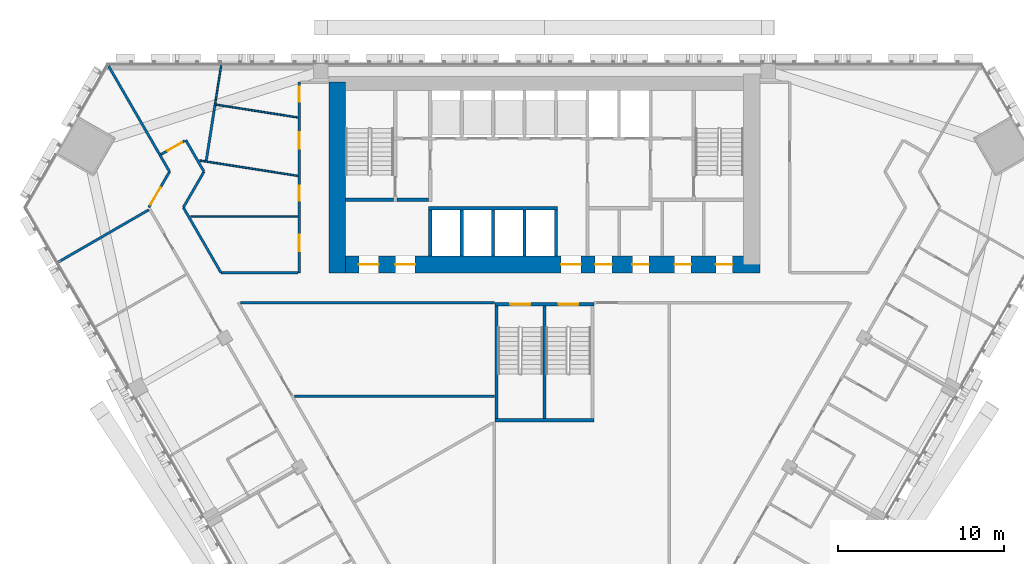
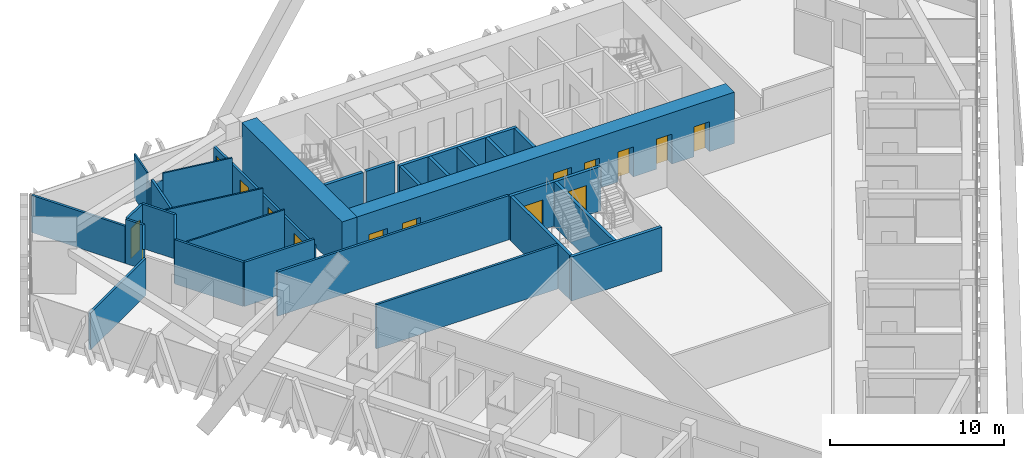
# One storey, part 18 of 24: 34 walls, 15 doors, 15 openings.
"""IFC4 building model written with IfcOpenShell, lengths in metres."""

from ifc_helpers import new_model, si_unit, direction, frame, frame_2d, origin, place, context, subcontext, project, spatial, rectangle, extrude, material, layer, layer_set, type_object, element, fill, save


model = new_model("IFC4")

# Units and contexts
model_context = context("Model", 3, precision=1e-05, world=origin(), true_north=direction((0.0, 1.0)))
body_context = subcontext(model_context, "Body", "Model", "MODEL_VIEW")
ifc_project = project(units=[si_unit("LENGTHUNIT", "METRE"), si_unit("AREAUNIT", "SQUARE_METRE"), si_unit("VOLUMEUNIT", "CUBIC_METRE"), si_unit("PLANEANGLEUNIT", "RADIAN"), si_unit("MASSUNIT", "GRAM", prefix="KILO")], contexts=[model_context])

# Site, building, storey
site_placement = place(None, origin())
site = spatial("IfcSite", under=ifc_project, at=site_placement, CompositionType="ELEMENT")
building_placement = place(site_placement, origin())
building = spatial("IfcBuilding", under=site, at=building_placement, Name="Altiplano Prism Tower", CompositionType="ELEMENT")
storey_placement = place(building_placement, frame((0.0, 0.0, 27.0)))
storey = spatial("IfcBuildingStorey", under=building, at=storey_placement, Name="L05", CompositionType="ELEMENT", Elevation=27.0)

# Wall, openings, doors
ifc_material_1 = material(Name="Concrete C70/85", Category="concrete")
ifc_layer_1 = layer(ifc_material_1, 1.0)
ifc_layer_set_1 = layer_set([ifc_layer_1], Name="Concrete C70/85")
wall_type_1 = type_object("IfcWallType", Name="Core wall 1000", PredefinedType="SHEAR", material=ifc_layer_set_1)
wall_1_placement = place(storey_placement, frame((72.5, 92.89990234375, 0.0), z_axis=(0.0, 0.0, 1.0), x_axis=(1.0, 0.0, 0.0)))
wall_1 = element("IfcWall", 1, at=wall_1_placement, inside=storey, type_object=wall_type_1, Name="Core wall S L05", PredefinedType="SHEAR", context=body_context, shape_type="SweptSolid", body=[
    extrude(rectangle(XDim=25.5, YDim=1.0, at=frame_2d((12.75, 0.0))), origin(), (0.0, 0.0, 1.0), 3.60009765625),
])
opening_1_placement = place(wall_1_placement, frame((1.300048828125, 0.0, 0.0)))
opening_1 = element("IfcOpeningElement", 2, at=opening_1_placement, cuts=wall_1, Name="Opening D2659", PredefinedType="OPENING", context=body_context, shape_type="SweptSolid", body=[
    extrude(rectangle(XDim=1.199951171875, YDim=2.10009765625, at=frame_2d((0.60009765625, 1.050048828125))), frame((0.0, 0.510498046875, 0.0), z_axis=(0.0, -1.0, 0.0), x_axis=(1.0, 0.0, 0.0)), (0.0, 0.0, 1.0), 1.02099609375),
])
opening_2_placement = place(wall_1_placement, frame((3.5, 0.0, 0.0)))
opening_2 = element("IfcOpeningElement", 3, at=opening_2_placement, cuts=wall_1, Name="Opening D2660", PredefinedType="OPENING", context=body_context, shape_type="SweptSolid", body=[
    extrude(rectangle(XDim=1.199951171875, YDim=2.10009765625, at=frame_2d((0.60009765625, 1.050048828125))), frame((0.0, 0.510498046875, 0.0), z_axis=(0.0, -1.0, 0.0), x_axis=(1.0, 0.0, 0.0)), (0.0, 0.0, 1.0), 1.02099609375),
])
opening_3_placement = place(wall_1_placement, frame((13.5, 0.0, 0.0)))
opening_3 = element("IfcOpeningElement", 4, at=opening_3_placement, cuts=wall_1, Name="Opening D2661", PredefinedType="OPENING", context=body_context, shape_type="SweptSolid", body=[
    extrude(rectangle(XDim=1.199951171875, YDim=2.10009765625, at=frame_2d((0.60009765625, 1.050048828125))), frame((0.0, 0.510498046875, 0.0), z_axis=(0.0, -1.0, 0.0), x_axis=(1.0, 0.0, 0.0)), (0.0, 0.0, 1.0), 1.02099609375),
])
opening_4_placement = place(wall_1_placement, frame((15.5625, 0.0, 0.0)))
opening_4 = element("IfcOpeningElement", 5, at=opening_4_placement, cuts=wall_1, Name="Opening D2664", PredefinedType="OPENING", context=body_context, shape_type="SweptSolid", body=[
    extrude(rectangle(XDim=1.0, YDim=2.10009765625, at=frame_2d((0.5, 1.050048828125))), frame((0.0, 0.510498046875, 0.0), z_axis=(0.0, -1.0, 0.0), x_axis=(1.0, 0.0, 0.0)), (0.0, 0.0, 1.0), 1.02099609375),
])
opening_5_placement = place(wall_1_placement, frame((17.800048828125, 0.0, 0.0)))
opening_5 = element("IfcOpeningElement", 6, at=opening_5_placement, cuts=wall_1, Name="Opening D2665", PredefinedType="OPENING", context=body_context, shape_type="SweptSolid", body=[
    extrude(rectangle(XDim=1.0, YDim=2.10009765625, at=frame_2d((0.5, 1.050048828125))), frame((0.0, 0.510498046875, 0.0), z_axis=(0.0, -1.0, 0.0), x_axis=(1.0, 0.0, 0.0)), (0.0, 0.0, 1.0), 1.02099609375),
])
opening_6_placement = place(wall_1_placement, frame((20.35009765625, 0.0, 0.0)))
opening_6 = element("IfcOpeningElement", 7, at=opening_6_placement, cuts=wall_1, Name="Opening D2666", PredefinedType="OPENING", context=body_context, shape_type="SweptSolid", body=[
    extrude(rectangle(XDim=1.0, YDim=2.10009765625, at=frame_2d((0.5, 1.050048828125))), frame((0.0, 0.510498046875, 0.0), z_axis=(0.0, -1.0, 0.0), x_axis=(1.0, 0.0, 0.0)), (0.0, 0.0, 1.0), 1.02099609375),
])
opening_7_placement = place(wall_1_placement, frame((22.83740234375, 0.0, 0.0)))
opening_7 = element("IfcOpeningElement", 8, at=opening_7_placement, cuts=wall_1, Name="Opening D2667", PredefinedType="OPENING", context=body_context, shape_type="SweptSolid", body=[
    extrude(rectangle(XDim=1.0, YDim=2.10009765625, at=frame_2d((0.5, 1.050048828125))), frame((0.0, 0.510498046875, 0.0), z_axis=(0.0, -1.0, 0.0), x_axis=(1.0, 0.0, 0.0)), (0.0, 0.0, 1.0), 1.02099609375),
])
ifc_material_2 = material(Name="Fire-rated steel door", Category="steel")
door_type_1 = type_object("IfcDoorType", Name="Core room door 1000 x 2100", OperationType="NOTDEFINED", PredefinedType="NOTDEFINED", material=ifc_material_2)
door_1_placement = place(opening_4_placement, origin())
door_1 = element("IfcDoor", 9, at=door_1_placement, inside=storey, type_object=door_type_1, Name="Core room door D2664", OperationType="SINGLE_SWING_RIGHT", OverallHeight=2.10009765625, OverallWidth=1.0, PredefinedType="NOTDEFINED", context=body_context, shape_type="SweptSolid", body=[
    extrude(rectangle(XDim=1.0, YDim=2.10009765625, at=frame_2d((0.5, 1.050048828125))), frame((0.0, 0.02490234375, 0.0), z_axis=(0.0, -1.0, 0.0), x_axis=(1.0, 0.0, 0.0)), (0.0, 0.0, 1.0), 0.050048828125),
])
fill(opening_4, door_1)
door_2_placement = place(opening_5_placement, origin())
door_2 = element("IfcDoor", 10, at=door_2_placement, inside=storey, type_object=door_type_1, Name="Core room door D2665", OperationType="SINGLE_SWING_LEFT", OverallHeight=2.10009765625, OverallWidth=1.0, PredefinedType="NOTDEFINED", context=body_context, shape_type="SweptSolid", body=[
    extrude(rectangle(XDim=1.0, YDim=2.10009765625, at=frame_2d((0.5, 1.050048828125))), frame((0.0, 0.02490234375, 0.0), z_axis=(0.0, -1.0, 0.0), x_axis=(1.0, 0.0, 0.0)), (0.0, 0.0, 1.0), 0.050048828125),
])
fill(opening_5, door_2)
door_3_placement = place(opening_6_placement, origin())
door_3 = element("IfcDoor", 11, at=door_3_placement, inside=storey, type_object=door_type_1, Name="Core room door D2666", OperationType="SINGLE_SWING_RIGHT", OverallHeight=2.10009765625, OverallWidth=1.0, PredefinedType="NOTDEFINED", context=body_context, shape_type="SweptSolid", body=[
    extrude(rectangle(XDim=1.0, YDim=2.10009765625, at=frame_2d((0.5, 1.050048828125))), frame((0.0, 0.02490234375, 0.0), z_axis=(0.0, -1.0, 0.0), x_axis=(1.0, 0.0, 0.0)), (0.0, 0.0, 1.0), 0.050048828125),
])
fill(opening_6, door_3)
door_4_placement = place(opening_7_placement, origin())
door_4 = element("IfcDoor", 12, at=door_4_placement, inside=storey, type_object=door_type_1, Name="Core room door D2667", OperationType="SINGLE_SWING_LEFT", OverallHeight=2.10009765625, OverallWidth=1.0, PredefinedType="NOTDEFINED", context=body_context, shape_type="SweptSolid", body=[
    extrude(rectangle(XDim=1.0, YDim=2.10009765625, at=frame_2d((0.5, 1.050048828125))), frame((0.0, 0.02490234375, 0.0), z_axis=(0.0, -1.0, 0.0), x_axis=(1.0, 0.0, 0.0)), (0.0, 0.0, 1.0), 0.050048828125),
])
fill(opening_7, door_4)
door_type_2 = type_object("IfcDoorType", Name="Lobby fire door 1200 x 2100", OperationType="NOTDEFINED", PredefinedType="NOTDEFINED", material=ifc_material_2)
door_5_placement = place(opening_1_placement, origin())
door_5 = element("IfcDoor", 13, at=door_5_placement, inside=storey, type_object=door_type_2, Name="Lobby fire door D2659", OperationType="SINGLE_SWING_RIGHT", OverallHeight=2.10009765625, OverallWidth=1.199951171875, PredefinedType="NOTDEFINED", context=body_context, shape_type="SweptSolid", body=[
    extrude(rectangle(XDim=1.199951171875, YDim=2.10009765625, at=frame_2d((0.60009765625, 1.050048828125))), frame((0.0, 0.02490234375, 0.0), z_axis=(0.0, -1.0, 0.0), x_axis=(1.0, 0.0, 0.0)), (0.0, 0.0, 1.0), 0.050048828125),
])
fill(opening_1, door_5)
door_6_placement = place(opening_2_placement, origin())
door_6 = element("IfcDoor", 14, at=door_6_placement, inside=storey, type_object=door_type_2, Name="Lobby fire door D2660", OperationType="SINGLE_SWING_LEFT", OverallHeight=2.10009765625, OverallWidth=1.199951171875, PredefinedType="NOTDEFINED", context=body_context, shape_type="SweptSolid", body=[
    extrude(rectangle(XDim=1.199951171875, YDim=2.10009765625, at=frame_2d((0.60009765625, 1.050048828125))), frame((0.0, 0.02490234375, 0.0), z_axis=(0.0, -1.0, 0.0), x_axis=(1.0, 0.0, 0.0)), (0.0, 0.0, 1.0), 0.050048828125),
])
fill(opening_2, door_6)
door_7_placement = place(opening_3_placement, origin())
door_7 = element("IfcDoor", 15, at=door_7_placement, inside=storey, type_object=door_type_2, Name="Lobby fire door D2661", OperationType="SINGLE_SWING_RIGHT", OverallHeight=2.10009765625, OverallWidth=1.199951171875, PredefinedType="NOTDEFINED", context=body_context, shape_type="SweptSolid", body=[
    extrude(rectangle(XDim=1.199951171875, YDim=2.10009765625, at=frame_2d((0.60009765625, 1.050048828125))), frame((0.0, 0.02490234375, 0.0), z_axis=(0.0, -1.0, 0.0), x_axis=(1.0, 0.0, 0.0)), (0.0, 0.0, 1.0), 0.050048828125),
])
fill(opening_3, door_7)

# Walls
wall_2_placement = place(storey_placement, frame((72.5, 103.89990234375, 0.0), z_axis=(0.0, 0.0, 1.0), x_axis=(0.0, -1.0, 0.0)))
element("IfcWall", 16, at=wall_2_placement, inside=storey, type_object=wall_type_1, Name="Core wall W L05", PredefinedType="SHEAR", context=body_context, shape_type="SweptSolid", body=[
    extrude(rectangle(XDim=11.5, YDim=1.0, at=frame_2d((5.75, 0.0))), origin(), (0.0, 0.0, 1.0), 3.60009765625),
])
ifc_material_3 = material(Name="Plasterboard on steel stud", Category="steel")
ifc_layer_2 = layer(ifc_material_3, 0.10009765625)
ifc_layer_set_2 = layer_set([ifc_layer_2], Name="Plasterboard on steel stud")
wall_type_2 = type_object("IfcWallType", Name="Partition 100 wet", PredefinedType="PARTITIONING", material=ifc_layer_set_2)
wall_3_placement = place(storey_placement, frame((65.125, 102.552001953125, 0.0), z_axis=(0.0, 0.0, 1.0), x_axis=(0.987935551698, -0.154865572969, 0.0)))
element("IfcWall", 17, at=wall_3_placement, inside=storey, type_object=wall_type_2, Name="Partition P03 L05 028", PredefinedType="PARTITIONING", context=body_context, shape_type="SweptSolid", body=[
    extrude(rectangle(XDim=0.777099609375, YDim=0.10009765625, at=frame_2d((0.388671875, 0.0))), origin(), (0.0, 0.0, 1.0), 2.60009765625),
])
wall_4_placement = place(storey_placement, frame((65.892822265625, 102.431640625, 0.0), z_axis=(0.0, 0.0, 1.0), x_axis=(0.987956178166, -0.154733933008, 0.0)))
element("IfcWall", 18, at=wall_4_placement, inside=storey, type_object=wall_type_2, Name="Partition P03 L05 029", PredefinedType="PARTITIONING", context=body_context, shape_type="SweptSolid", body=[
    extrude(rectangle(XDim=4.27587890625, YDim=0.10009765625, at=frame_2d((2.137939453125, 0.0))), origin(), (0.0, 0.0, 1.0), 3.10009765625),
])
wall_5_placement = place(storey_placement, frame((65.49267578125, 104.89990234375, 0.0), z_axis=(0.0, 0.0, 1.0), x_axis=(-0.154751183602, -0.987953476219, 0.0)))
element("IfcWall", 19, at=wall_5_placement, inside=storey, type_object=wall_type_2, Name="Partition P03 L05 030", PredefinedType="PARTITIONING", context=body_context, shape_type="SweptSolid", body=[
    extrude(rectangle(XDim=2.04931640625, YDim=0.10009765625, at=frame_2d((1.024658203125, 0.0))), origin(), (0.0, 0.0, 1.0), 3.10009765625),
])
wall_6_placement = place(storey_placement, frame((65.175537109375, 102.875244140625, 0.0), z_axis=(0.0, 0.0, 1.0), x_axis=(-0.154698630223, -0.98796170665, 0.0)))
element("IfcWall", 20, at=wall_6_placement, inside=storey, type_object=wall_type_2, Name="Partition P03 L05 031", PredefinedType="PARTITIONING", context=body_context, shape_type="SweptSolid", body=[
    extrude(rectangle(XDim=0.34716796875, YDim=0.10009765625, at=frame_2d((0.173583984375, 0.0))), origin(), (0.0, 0.0, 1.0), 2.60009765625),
])
wall_7_placement = place(storey_placement, frame((70.1171875, 98.245361328125, 0.0), z_axis=(0.0, 0.0, 1.0), x_axis=(-0.987955306668, 0.154739497307, 0.0)))
element("IfcWall", 21, at=wall_7_placement, inside=storey, type_object=wall_type_2, Name="Partition P03 L05 032", PredefinedType="PARTITIONING", context=body_context, shape_type="SweptSolid", body=[
    extrude(rectangle(XDim=5.9970703125, YDim=0.10009765625, at=frame_2d((2.99853515625, 0.0))), origin(), (0.0, 0.0, 1.0), 3.10009765625),
])
wall_8_placement = place(storey_placement, frame((63.644775390625, 95.78857421875, 0.0), z_axis=(0.0, 0.0, 1.0), x_axis=(1.0, 0.0, 0.0)))
element("IfcWall", 22, at=wall_8_placement, inside=storey, type_object=wall_type_2, Name="Partition P03 L05 033", PredefinedType="PARTITIONING", context=body_context, shape_type="SweptSolid", body=[
    extrude(rectangle(XDim=6.480224609375, YDim=0.10009765625, at=frame_2d((3.240234375, 0.0))), origin(), (0.0, 0.0, 1.0), 3.10009765625),
])
ifc_layer_3 = layer(ifc_material_3, 0.14990234375)
ifc_layer_set_3 = layer_set([ifc_layer_3], Name="Plasterboard on steel stud")
wall_type_3 = type_object("IfcWallType", Name="Partition 150 corridor", PredefinedType="PARTITIONING", material=ifc_layer_set_3)
wall_9_placement = place(storey_placement, frame((63.2109375, 96.33984375, 0.0), z_axis=(0.0, 0.0, 1.0), x_axis=(0.50004439687, 0.865999769722, 0.0)))
element("IfcWall", 23, at=wall_9_placement, inside=storey, type_object=wall_type_3, Name="Partition P06 L05 002", PredefinedType="PARTITIONING", context=body_context, shape_type="SweptSolid", body=[
    extrude(rectangle(XDim=2.494384765625, YDim=0.14990234375, at=frame_2d((1.2470703125, 0.0))), origin(), (0.0, 0.0, 1.0), 3.10009765625),
])

# Wall, openings, doors
wall_10_placement = place(storey_placement, frame((70.199951171875, 103.89990234375, 0.0), z_axis=(0.0, 0.0, 1.0), x_axis=(0.0, -1.0, 0.0)))
wall_10 = element("IfcWall", 24, at=wall_10_placement, inside=storey, type_object=wall_type_3, Name="Partition P06 L05 003", PredefinedType="PARTITIONING", context=body_context, shape_type="SweptSolid", body=[
    extrude(rectangle(XDim=11.5, YDim=0.14990234375, at=frame_2d((5.75, 0.0))), origin(), (0.0, 0.0, 1.0), 2.60009765625),
])
opening_8_placement = place(wall_10_placement, frame((0.291015625, 0.0, 0.0)))
opening_8 = element("IfcOpeningElement", 25, at=opening_8_placement, cuts=wall_10, Name="Opening D0134", PredefinedType="OPENING", context=body_context, shape_type="SweptSolid", body=[
    extrude(rectangle(XDim=0.89990234375, YDim=2.10009765625, at=frame_2d((0.449951171875, 1.050048828125))), frame((0.0, 0.08544921875, 0.0), z_axis=(0.0, -1.0, 0.0), x_axis=(1.0, 0.0, 0.0)), (0.0, 0.0, 1.0), 0.1708984375),
])
opening_9_placement = place(wall_10_placement, frame((6.242919921875, 0.0, 0.0)))
opening_9 = element("IfcOpeningElement", 26, at=opening_9_placement, cuts=wall_10, Name="Opening D0135", PredefinedType="OPENING", context=body_context, shape_type="SweptSolid", body=[
    extrude(rectangle(XDim=0.89990234375, YDim=2.10009765625, at=frame_2d((0.449951171875, 1.050048828125))), frame((0.0, 0.08544921875, 0.0), z_axis=(0.0, -1.0, 0.0), x_axis=(1.0, 0.0, 0.0)), (0.0, 0.0, 1.0), 0.1708984375),
])
opening_10_placement = place(wall_10_placement, frame((3.01611328125, 0.0, 0.0)))
opening_10 = element("IfcOpeningElement", 27, at=opening_10_placement, cuts=wall_10, Name="Opening D0136", PredefinedType="OPENING", context=body_context, shape_type="SweptSolid", body=[
    extrude(rectangle(XDim=1.0, YDim=2.10009765625, at=frame_2d((0.5, 1.050048828125))), frame((0.0, 0.08544921875, 0.0), z_axis=(0.0, -1.0, 0.0), x_axis=(1.0, 0.0, 0.0)), (0.0, 0.0, 1.0), 0.1708984375),
])
opening_11_placement = place(wall_10_placement, frame((9.208984375, 0.0, 0.0)))
opening_11 = element("IfcOpeningElement", 28, at=opening_11_placement, cuts=wall_10, Name="Opening D0137", PredefinedType="OPENING", context=body_context, shape_type="SweptSolid", body=[
    extrude(rectangle(XDim=1.0, YDim=2.10009765625, at=frame_2d((0.5, 1.050048828125))), frame((0.0, 0.08544921875, 0.0), z_axis=(0.0, -1.0, 0.0), x_axis=(1.0, 0.0, 0.0)), (0.0, 0.0, 1.0), 0.1708984375),
])
ifc_material_4 = material(Name="Timber", Category="wood")
door_type_3 = type_object("IfcDoorType", Name="Store door 1000 x 2100", OperationType="NOTDEFINED", PredefinedType="NOTDEFINED", material=ifc_material_4)
door_8_placement = place(opening_10_placement, origin())
door_8 = element("IfcDoor", 29, at=door_8_placement, inside=storey, type_object=door_type_3, Name="Door D0136", OperationType="SINGLE_SWING_RIGHT", OverallHeight=2.10009765625, OverallWidth=1.0, PredefinedType="NOTDEFINED", context=body_context, shape_type="SweptSolid", body=[
    extrude(rectangle(XDim=1.0, YDim=2.10009765625, at=frame_2d((0.5, 1.050048828125))), frame((0.0, 0.02490234375, 0.0), z_axis=(0.0, -1.0, 0.0), x_axis=(1.0, 0.0, 0.0)), (0.0, 0.0, 1.0), 0.050048828125),
])
fill(opening_10, door_8)
door_9_placement = place(opening_11_placement, origin())
door_9 = element("IfcDoor", 30, at=door_9_placement, inside=storey, type_object=door_type_3, Name="Door D0137", OperationType="SINGLE_SWING_LEFT", OverallHeight=2.10009765625, OverallWidth=1.0, PredefinedType="NOTDEFINED", context=body_context, shape_type="SweptSolid", body=[
    extrude(rectangle(XDim=1.0, YDim=2.10009765625, at=frame_2d((0.5, 1.050048828125))), frame((0.0, 0.02490234375, 0.0), z_axis=(0.0, -1.0, 0.0), x_axis=(1.0, 0.0, 0.0)), (0.0, 0.0, 1.0), 0.050048828125),
])
fill(opening_11, door_9)
door_type_4 = type_object("IfcDoorType", Name="Toilet door 900 x 2100", OperationType="NOTDEFINED", PredefinedType="NOTDEFINED", material=ifc_material_4)
door_10_placement = place(opening_8_placement, origin())
door_10 = element("IfcDoor", 31, at=door_10_placement, inside=storey, type_object=door_type_4, Name="Door D0134", OperationType="SINGLE_SWING_RIGHT", OverallHeight=2.10009765625, OverallWidth=0.89990234375, PredefinedType="NOTDEFINED", context=body_context, shape_type="SweptSolid", body=[
    extrude(rectangle(XDim=0.89990234375, YDim=2.10009765625, at=frame_2d((0.449951171875, 1.050048828125))), frame((0.0, 0.02490234375, 0.0), z_axis=(0.0, -1.0, 0.0), x_axis=(1.0, 0.0, 0.0)), (0.0, 0.0, 1.0), 0.050048828125),
])
fill(opening_8, door_10)
door_11_placement = place(opening_9_placement, origin())
door_11 = element("IfcDoor", 32, at=door_11_placement, inside=storey, type_object=door_type_4, Name="Door D0135", OperationType="SINGLE_SWING_RIGHT", OverallHeight=2.10009765625, OverallWidth=0.89990234375, PredefinedType="NOTDEFINED", context=body_context, shape_type="SweptSolid", body=[
    extrude(rectangle(XDim=0.89990234375, YDim=2.10009765625, at=frame_2d((0.449951171875, 1.050048828125))), frame((0.0, 0.02490234375, 0.0), z_axis=(0.0, -1.0, 0.0), x_axis=(1.0, 0.0, 0.0)), (0.0, 0.0, 1.0), 0.050048828125),
])
fill(opening_9, door_11)

# Walls
wall_11_placement = place(storey_placement, frame((70.125, 92.39990234375, 0.0), z_axis=(0.0, 0.0, 1.0), x_axis=(-1.0, 0.0, 0.0)))
element("IfcWall", 33, at=wall_11_placement, inside=storey, type_object=wall_type_3, Name="Partition P06 L05 004", PredefinedType="PARTITIONING", context=body_context, shape_type="SweptSolid", body=[
    extrude(rectangle(XDim=4.639404296875, YDim=0.14990234375, at=frame_2d((2.31982421875, 0.0))), origin(), (0.0, 0.0, 1.0), 3.10009765625),
])
wall_12_placement = place(storey_placement, frame((65.485595703125, 92.39990234375, 0.0), z_axis=(0.0, 0.0, 1.0), x_axis=(-0.499988785058, 0.866031878637, 0.0)))
element("IfcWall", 34, at=wall_12_placement, inside=storey, type_object=wall_type_3, Name="Partition P06 L05 005", PredefinedType="PARTITIONING", context=body_context, shape_type="SweptSolid", body=[
    extrude(rectangle(XDim=4.54931640625, YDim=0.14990234375, at=frame_2d((2.274658203125, 0.0))), origin(), (0.0, 0.0, 1.0), 3.10009765625),
])
wall_13_placement = place(storey_placement, frame((64.458251953125, 98.5, 0.0), z_axis=(0.0, 0.0, 1.0), x_axis=(-0.500005024956, 0.866022502605, 0.0)))
element("IfcWall", 35, at=wall_13_placement, inside=storey, type_object=wall_type_3, Name="Partition P06 L05 006", PredefinedType="PARTITIONING", context=body_context, shape_type="SweptSolid", body=[
    extrude(rectangle(XDim=2.19384765625, YDim=0.14990234375, at=frame_2d((1.096923828125, 0.0))), origin(), (0.0, 0.0, 1.0), 3.10009765625),
])

# Wall, opening, door
wall_14_placement = place(storey_placement, frame((63.296142578125, 100.362548828125, 0.0), z_axis=(0.0, 0.0, 1.0), x_axis=(-0.866298776321, -0.499526205664, 0.0)))
wall_14 = element("IfcWall", 36, at=wall_14_placement, inside=storey, type_object=wall_type_3, Name="Partition P06 L05 007", PredefinedType="PARTITIONING", context=body_context, shape_type="SweptSolid", body=[
    extrude(rectangle(XDim=1.6513671875, YDim=0.14990234375, at=frame_2d((0.82568359375, 0.0))), origin(), (0.0, 0.0, 1.0), 3.10009765625),
])
opening_12_placement = place(wall_14_placement, frame((0.199951171875, 0.0, 0.0)))
opening_12 = element("IfcOpeningElement", 37, at=opening_12_placement, cuts=wall_14, Name="Opening D0138", PredefinedType="OPENING", context=body_context, shape_type="SweptSolid", body=[
    extrude(rectangle(XDim=1.0, YDim=2.10009765625, at=frame_2d((0.5, 1.050048828125))), frame((0.0, 0.08544921875, 0.0), z_axis=(0.0, -1.0, 0.0), x_axis=(1.0, 0.0, 0.0)), (0.0, 0.0, 1.0), 0.1708984375),
])
door_12_placement = place(opening_12_placement, origin())
door_12 = element("IfcDoor", 38, at=door_12_placement, inside=storey, type_object=door_type_3, Name="Door D0138", OperationType="SINGLE_SWING_LEFT", OverallHeight=2.10009765625, OverallWidth=1.0, PredefinedType="NOTDEFINED", context=body_context, shape_type="SweptSolid", body=[
    extrude(rectangle(XDim=1.0, YDim=2.10009765625, at=frame_2d((0.5, 1.050048828125))), frame((0.0, 0.02490234375, 0.0), z_axis=(0.0, -1.0, 0.0), x_axis=(1.0, 0.0, 0.0)), (0.0, 0.0, 1.0), 0.050048828125),
])
fill(opening_12, door_12)

# Wall
wall_15_placement = place(storey_placement, frame((61.79248046875, 99.517333984375, 0.0), z_axis=(0.0, 0.0, 1.0), x_axis=(0.499872391225, -0.86609906621, 0.0)))
element("IfcWall", 39, at=wall_15_placement, inside=storey, type_object=wall_type_3, Name="Partition P06 L05 008", PredefinedType="PARTITIONING", context=body_context, shape_type="SweptSolid", body=[
    extrude(rectangle(XDim=1.174560546875, YDim=0.14990234375, at=frame_2d((0.58740234375, 0.0))), origin(), (0.0, 0.0, 1.0), 3.10009765625),
])

# Wall, opening, door
wall_16_placement = place(storey_placement, frame((62.379638671875, 98.5, 0.0), z_axis=(0.0, 0.0, 1.0), x_axis=(-0.499970989427, -0.866042152399, 0.0)))
wall_16 = element("IfcWall", 40, at=wall_16_placement, inside=storey, type_object=wall_type_3, Name="Partition P06 L05 009", PredefinedType="PARTITIONING", context=body_context, shape_type="SweptSolid", body=[
    extrude(rectangle(XDim=2.494384765625, YDim=0.14990234375, at=frame_2d((1.2470703125, 0.0))), origin(), (0.0, 0.0, 1.0), 3.10009765625),
])
opening_13_placement = place(wall_16_placement, frame((1.093994140625, 0.0, 0.0)))
opening_13 = element("IfcOpeningElement", 41, at=opening_13_placement, cuts=wall_16, Name="Opening D0139", PredefinedType="OPENING", context=body_context, shape_type="SweptSolid", body=[
    extrude(rectangle(XDim=1.199951171875, YDim=2.10009765625, at=frame_2d((0.60009765625, 1.050048828125))), frame((0.0, 0.08544921875, 0.0), z_axis=(0.0, -1.0, 0.0), x_axis=(1.0, 0.0, 0.0)), (0.0, 0.0, 1.0), 0.1708984375),
])
door_type_5 = type_object("IfcDoorType", Name="Shared room door 1200 x 2100", OperationType="NOTDEFINED", PredefinedType="NOTDEFINED", material=ifc_material_4)
door_13_placement = place(opening_13_placement, origin())
door_13 = element("IfcDoor", 42, at=door_13_placement, inside=storey, type_object=door_type_5, Name="Door D0139", OperationType="SINGLE_SWING_RIGHT", OverallHeight=2.10009765625, OverallWidth=1.199951171875, PredefinedType="NOTDEFINED", context=body_context, shape_type="SweptSolid", body=[
    extrude(rectangle(XDim=1.199951171875, YDim=2.10009765625, at=frame_2d((0.60009765625, 1.050048828125))), frame((0.0, 0.02490234375, 0.0), z_axis=(0.0, -1.0, 0.0), x_axis=(1.0, 0.0, 0.0)), (0.0, 0.0, 1.0), 0.050048828125),
])
fill(opening_13, door_13)

# Walls
wall_17_placement = place(storey_placement, frame((66.65478515625, 90.60009765625, 0.0), z_axis=(0.0, 0.0, 1.0), x_axis=(0.999999997968, -6.3746036e-05, 0.0)))
element("IfcWall", 43, at=wall_17_placement, inside=storey, type_object=wall_type_3, Name="Partition P06 L05 027", PredefinedType="PARTITIONING", context=body_context, shape_type="SweptSolid", body=[
    extrude(rectangle(XDim=15.319580078125, YDim=0.14990234375, at=frame_2d((7.65966796875, 0.0))), origin(), (0.0, 0.0, 1.0), 3.10009765625),
])
ifc_layer_4 = layer(ifc_material_3, 0.14990234375)
ifc_layer_set_4 = layer_set([ifc_layer_4], Name="Plasterboard on steel stud")
wall_type_4 = type_object("IfcWallType", Name="Partition 150 party", PredefinedType="PARTITIONING", material=ifc_layer_set_4)
wall_18_placement = place(storey_placement, frame((65.1171875, 102.50244140625, 0.0), z_axis=(0.0, 0.0, 1.0), x_axis=(-0.154553127564, -0.987984479008, 0.0)))
element("IfcWall", 44, at=wall_18_placement, inside=storey, type_object=wall_type_4, Name="Partition P01 L05 034", PredefinedType="PARTITIONING", context=body_context, shape_type="SweptSolid", body=[
    extrude(rectangle(XDim=0.338134765625, YDim=0.14990234375, at=frame_2d((0.1689453125, 0.0))), origin(), (0.0, 0.0, 1.0), 2.60009765625),
])
wall_19_placement = place(storey_placement, frame((65.06494140625, 102.16845703125, 0.0), z_axis=(0.0, 0.0, 1.0), x_axis=(-0.154702251665, -0.987961139585, 0.0)))
element("IfcWall", 45, at=wall_19_placement, inside=storey, type_object=wall_type_4, Name="Partition P01 L05 035", PredefinedType="PARTITIONING", context=body_context, shape_type="SweptSolid", body=[
    extrude(rectangle(XDim=3.044189453125, YDim=0.14990234375, at=frame_2d((1.52197265625, 0.0))), origin(), (0.0, 0.0, 1.0), 3.10009765625),
])
wall_20_placement = place(storey_placement, frame((58.6845703125, 104.89990234375, 0.0), z_axis=(0.0, 0.0, 1.0), x_axis=(0.500005339912, -0.866022320763, 0.0)))
element("IfcWall", 46, at=wall_20_placement, inside=storey, type_object=wall_type_4, Name="Partition P01 L05 036", PredefinedType="PARTITIONING", context=body_context, shape_type="SweptSolid", body=[
    extrude(rectangle(XDim=6.20068359375, YDim=0.14990234375, at=frame_2d((3.100341796875, 0.0))), origin(), (0.0, 0.0, 1.0), 2.60009765625),
])
wall_21_placement = place(storey_placement, frame((55.632568359375, 93.025390625, 0.0), z_axis=(0.0, 0.0, 1.0), x_axis=(0.866025401434, 0.500000004071, 0.0)))
element("IfcWall", 47, at=wall_21_placement, inside=storey, type_object=wall_type_4, Name="Partition P01 L05 037", PredefinedType="PARTITIONING", context=body_context, shape_type="SweptSolid", body=[
    extrude(rectangle(XDim=6.34521484375, YDim=0.14990234375, at=frame_2d((3.172607421875, 0.0))), origin(), (0.0, 0.0, 1.0), 2.60009765625),
])
wall_22_placement = place(storey_placement, frame((69.923828125, 84.937744140625, 0.0), z_axis=(0.0, 0.0, 1.0), x_axis=(1.0, 0.0, 0.0)))
element("IfcWall", 48, at=wall_22_placement, inside=storey, type_object=wall_type_4, Name="Partition P01 L05 094", PredefinedType="PARTITIONING", context=body_context, shape_type="SweptSolid", body=[
    extrude(rectangle(XDim=12.050537109375, YDim=0.14990234375, at=frame_2d((6.025390625, 0.0))), origin(), (0.0, 0.0, 1.0), 3.10009765625),
])
ifc_material_5 = material(Name="Concrete C60/75", Category="concrete")
ifc_layer_5 = layer(ifc_material_5, 0.199951171875)
ifc_layer_set_5 = layer_set([ifc_layer_5], Name="Concrete C60/75")
wall_type_5 = type_object("IfcWallType", Name="Shaft wall 200", PredefinedType="SOLIDWALL", material=ifc_layer_set_5)
for number, where, z_axis, x_axis, name in (
    (49, (78.10009765625, 93.39990234375, 0.0), (0.0, 0.0, 1.0), (0.0, 1.0, 0.0), "Shaft wall L05"),
    (50, (80.0, 93.39990234375, 0.0), (0.0, 0.0, 1.0), (0.0, 1.0, 0.0), "Shaft wall L05"),
    (51, (81.89990234375, 93.39990234375, 0.0), (0.0, 0.0, 1.0), (0.0, 1.0, 0.0), "Shaft wall L05"),
    (52, (83.800048828125, 93.39990234375, 0.0), (0.0, 0.0, 1.0), (0.0, 1.0, 0.0), "Shaft wall L05"),
    (53, (85.699951171875, 93.39990234375, 0.0), (0.0, 0.0, 1.0), (0.0, 1.0, 0.0), "Shaft wall L05"),
):
    element("IfcWall", number, at=place(storey_placement, frame(where, z_axis=z_axis, x_axis=x_axis)), inside=storey, type_object=wall_type_5, Name=name, PredefinedType="SOLIDWALL", context=body_context, shape_type="SweptSolid", body=[
        extrude(rectangle(XDim=2.800048828125, YDim=0.199951171875, at=frame_2d((1.39990234375, 0.0))), origin(), (0.0, 0.0, 1.0), 3.10009765625),
    ])
wall_23_placement = place(storey_placement, frame((78.0, 96.300048828125, 0.0), z_axis=(0.0, 0.0, 1.0), x_axis=(1.0, 0.0, 0.0)))
element("IfcWall", 54, at=wall_23_placement, inside=storey, type_object=wall_type_5, Name="Shaft wall L05", PredefinedType="SOLIDWALL", context=body_context, shape_type="SweptSolid", body=[
    extrude(rectangle(XDim=7.800048828125, YDim=0.199951171875, at=frame_2d((3.89990234375, 0.0))), origin(), (0.0, 0.0, 1.0), 3.10009765625),
])
ifc_layer_6 = layer(ifc_material_5, 0.199951171875)
ifc_layer_set_6 = layer_set([ifc_layer_6], Name="Concrete C60/75")
wall_type_6 = type_object("IfcWallType", Name="Stair wall 200", PredefinedType="SOLIDWALL", material=ifc_layer_set_6)
wall_24_placement = place(storey_placement, frame((73.0, 96.800048828125, 0.0), z_axis=(0.0, 0.0, 1.0), x_axis=(1.0, 0.0, 0.0)))
element("IfcWall", 55, at=wall_24_placement, inside=storey, type_object=wall_type_6, Name="Stair wall L05", PredefinedType="SOLIDWALL", context=body_context, shape_type="SweptSolid", body=[
    extrude(rectangle(XDim=2.89990234375, YDim=0.199951171875, at=frame_2d((1.449951171875, 0.0))), origin(), (0.0, 0.0, 1.0), 3.10009765625),
])

# Wall, openings, doors
wall_25_placement = place(storey_placement, frame((82.0, 90.5, 0.0), z_axis=(0.0, 0.0, 1.0), x_axis=(1.0, 0.0, 0.0)))
wall_25 = element("IfcWall", 56, at=wall_25_placement, inside=storey, type_object=wall_type_6, Name="Stair 3 wall north L05", PredefinedType="SOLIDWALL", context=body_context, shape_type="SweptSolid", body=[
    extrude(rectangle(XDim=6.0, YDim=0.199951171875, at=frame_2d((3.0, 0.0))), origin(), (0.0, 0.0, 1.0), 3.10009765625),
])
opening_14_placement = place(wall_25_placement, frame((0.949951171875, 0.0, 0.0)))
opening_14 = element("IfcOpeningElement", 57, at=opening_14_placement, cuts=wall_25, Name="Opening D3932", PredefinedType="OPENING", context=body_context, shape_type="SweptSolid", body=[
    extrude(rectangle(XDim=1.199951171875, YDim=2.10009765625, at=frame_2d((0.60009765625, 1.050048828125))), frame((0.0, 0.1103515625, 0.0), z_axis=(0.0, -1.0, 0.0), x_axis=(1.0, 0.0, 0.0)), (0.0, 0.0, 1.0), 0.220947265625),
])
opening_15_placement = place(wall_25_placement, frame((3.85009765625, 0.0, 0.0)))
opening_15 = element("IfcOpeningElement", 58, at=opening_15_placement, cuts=wall_25, Name="Opening D3933", PredefinedType="OPENING", context=body_context, shape_type="SweptSolid", body=[
    extrude(rectangle(XDim=1.199951171875, YDim=2.10009765625, at=frame_2d((0.60009765625, 1.050048828125))), frame((0.0, 0.1103515625, 0.0), z_axis=(0.0, -1.0, 0.0), x_axis=(1.0, 0.0, 0.0)), (0.0, 0.0, 1.0), 0.220947265625),
])
door_type_6 = type_object("IfcDoorType", Name="Stair fire door 1200 x 2100", OperationType="NOTDEFINED", PredefinedType="NOTDEFINED", material=ifc_material_2)
door_14_placement = place(opening_14_placement, origin())
door_14 = element("IfcDoor", 59, at=door_14_placement, inside=storey, type_object=door_type_6, Name="Stair fire door D3932", OperationType="SINGLE_SWING_LEFT", OverallHeight=2.10009765625, OverallWidth=1.199951171875, PredefinedType="NOTDEFINED", context=body_context, shape_type="SweptSolid", body=[
    extrude(rectangle(XDim=1.199951171875, YDim=2.10009765625, at=frame_2d((0.60009765625, 1.050048828125))), frame((0.0, 0.02490234375, 0.0), z_axis=(0.0, -1.0, 0.0), x_axis=(1.0, 0.0, 0.0)), (0.0, 0.0, 1.0), 0.050048828125),
])
fill(opening_14, door_14)
door_15_placement = place(opening_15_placement, origin())
door_15 = element("IfcDoor", 60, at=door_15_placement, inside=storey, type_object=door_type_6, Name="Stair fire door D3933", OperationType="SINGLE_SWING_LEFT", OverallHeight=2.10009765625, OverallWidth=1.199951171875, PredefinedType="NOTDEFINED", context=body_context, shape_type="SweptSolid", body=[
    extrude(rectangle(XDim=1.199951171875, YDim=2.10009765625, at=frame_2d((0.60009765625, 1.050048828125))), frame((0.0, 0.02490234375, 0.0), z_axis=(0.0, -1.0, 0.0), x_axis=(1.0, 0.0, 0.0)), (0.0, 0.0, 1.0), 0.050048828125),
])
fill(opening_15, door_15)

# Walls
wall_26_placement = place(storey_placement, frame((82.0, 83.5, 0.0), z_axis=(0.0, 0.0, 1.0), x_axis=(1.0, 0.0, 0.0)))
element("IfcWall", 61, at=wall_26_placement, inside=storey, type_object=wall_type_6, Name="Stair 3 wall south L05", PredefinedType="SOLIDWALL", context=body_context, shape_type="SweptSolid", body=[
    extrude(rectangle(XDim=6.0, YDim=0.199951171875, at=frame_2d((3.0, 0.0))), origin(), (0.0, 0.0, 1.0), 3.10009765625),
])
for number, where, z_axis, x_axis, name in (
    (62, (82.10009765625, 83.60009765625, 0.0), (0.0, 0.0, 1.0), (0.0, 1.0, 0.0), "Stair 3 wall west L05"),
    (63, (85.0, 83.60009765625, 0.0), (0.0, 0.0, 1.0), (0.0, 1.0, 0.0), "Stair 3 wall divider L05"),
):
    element("IfcWall", number, at=place(storey_placement, frame(where, z_axis=z_axis, x_axis=x_axis)), inside=storey, type_object=wall_type_6, Name=name, PredefinedType="SOLIDWALL", context=body_context, shape_type="SweptSolid", body=[
        extrude(rectangle(XDim=6.7998046875, YDim=0.199951171875, at=frame_2d((3.39990234375, 0.0))), origin(), (0.0, 0.0, 1.0), 3.10009765625),
    ])
ifc_layer_7 = layer(ifc_material_5, 0.199951171875)
ifc_layer_set_7 = layer_set([ifc_layer_7], Name="Concrete C60/75")
wall_type_7 = type_object("IfcWallType", Name="Vestibule wall 200", PredefinedType="PARTITIONING", material=ifc_layer_set_7)
wall_27_placement = place(storey_placement, frame((76.10009765625, 96.800048828125, 0.0), z_axis=(0.0, 0.0, 1.0), x_axis=(1.0, 0.0, 0.0)))
element("IfcWall", 64, at=wall_27_placement, inside=storey, type_object=wall_type_7, Name="Vestibule wall L05", PredefinedType="PARTITIONING", context=body_context, shape_type="SweptSolid", body=[
    extrude(rectangle(XDim=1.89990234375, YDim=0.199951171875, at=frame_2d((0.949951171875, 0.0))), origin(), (0.0, 0.0, 1.0), 3.10009765625),
])

save(model, "model.ifc")
